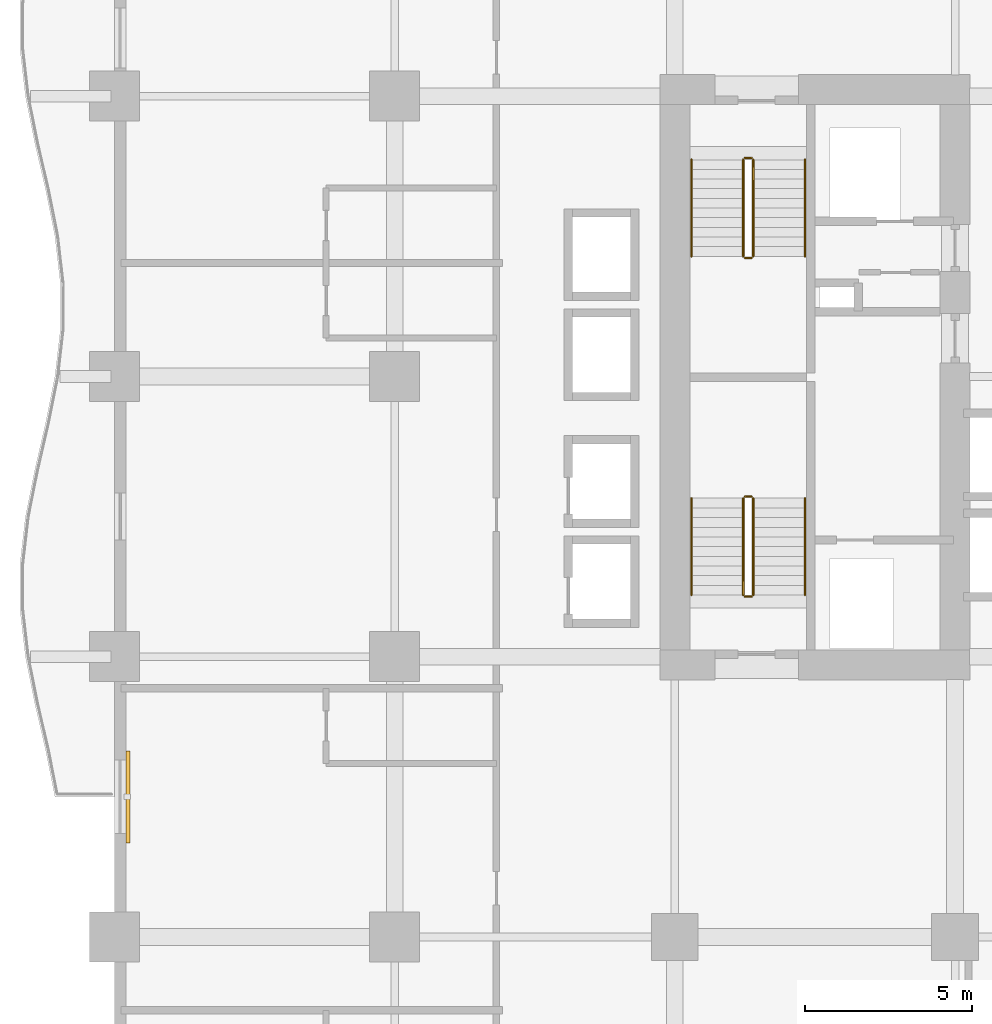
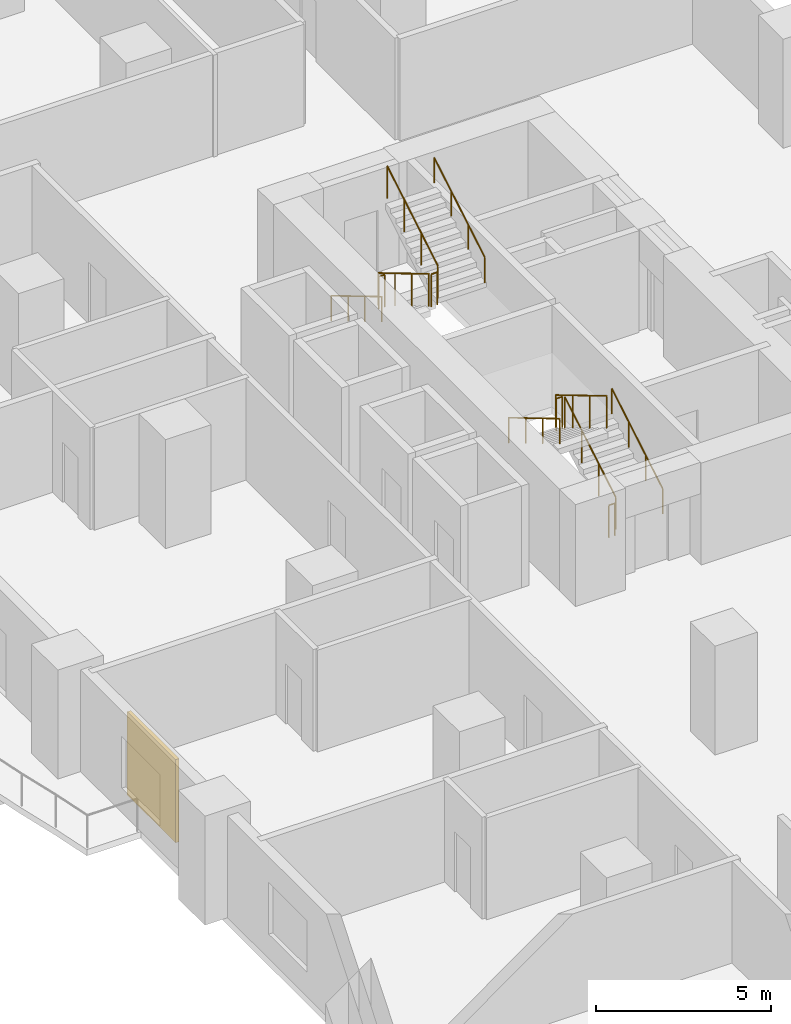
# One storey, part 19 of 20: 12 railings, 1 shading device.
"""IFC4 building model written with IfcOpenShell, lengths in metres."""

from ifc_helpers import new_model, si_unit, direction, frame, origin, origin_2d, place, context, subcontext, project, spatial, rectangle, circle, extrude, material, layer, layer_set, type_object, element, save


model = new_model("IFC4")

# Units and contexts
model_context = context("Model", 3, precision=1e-05, world=origin(), true_north=direction((0.0, 1.0)))
body_context = subcontext(model_context, "Body", "Model", "MODEL_VIEW")
ifc_project = project(units=[si_unit("LENGTHUNIT", "METRE"), si_unit("AREAUNIT", "SQUARE_METRE"), si_unit("VOLUMEUNIT", "CUBIC_METRE"), si_unit("PLANEANGLEUNIT", "RADIAN"), si_unit("MASSUNIT", "GRAM", prefix="KILO")], contexts=[model_context])

# Site, building, storey
site_placement = place(None, origin())
site = spatial("IfcSite", under=ifc_project, at=site_placement, CompositionType="ELEMENT")
building_placement = place(site_placement, origin())
building = spatial("IfcBuilding", under=site, at=building_placement, Name="Koriwani Terraces Tower", CompositionType="ELEMENT")
storey_placement = place(building_placement, frame((0.0, 0.0, 66.199951171875)))
storey = spatial("IfcBuildingStorey", under=building, at=storey_placement, Name="L15", CompositionType="ELEMENT", Elevation=66.199951171875)

# Railings
ifc_material_1 = material(Name="Steel ASTM A572 Grade 50", Category="steel")
railing_type_1 = type_object("IfcRailingType", Name="GUARD_STAIR_WELL_1120", PredefinedType="GUARDRAIL", material=ifc_material_1)
railing_1_placement = place(storey_placement, frame((19.14990234375, 43.85009765625, 0.1728515625)))
element("IfcRailing", 1, at=railing_1_placement, inside=storey, type_object=railing_type_1, Name="L15 ST-W1 stair guard 1", PredefinedType="GUARDRAIL", context=body_context, shape_type="SweptSolid", body=[
    extrude(circle(Radius=0.02392578125, at=origin_2d()), frame((0.0, 0.0, 1.1259765625), z_axis=(0.0, 0.859141464434, 0.511738159696), x_axis=(-1.0, 0.0, 0.0)), (0.0, 0.0, 1.0), 3.375244140625),
    extrude(circle(Radius=0.02099609375, at=origin_2d()), origin(), (0.0, 0.0, 1.0), 1.101806640625),
    extrude(circle(Radius=0.02099609375, at=origin_2d()), frame((0.0, 0.966552734375, 0.57568359375)), (0.0, 0.0, 1.0), 1.101806640625),
    extrude(circle(Radius=0.02099609375, at=origin_2d()), frame((0.0, 1.933349609375, 1.151611328125)), (0.0, 0.0, 1.0), 1.101806640625),
    extrude(circle(Radius=0.02099609375, at=origin_2d()), frame((0.0, 2.89990234375, 1.727294921875)), (0.0, 0.0, 1.0), 1.101806640625),
])
railing_2_placement = place(storey_placement, frame((19.10009765625, 46.800048828125, 1.900146484375)))
element("IfcRailing", 2, at=railing_2_placement, inside=storey, type_object=railing_type_1, Name="L15 ST-W1 stair guard 2", PredefinedType="GUARDRAIL", context=body_context, shape_type="SweptSolid", body=[
    extrude(circle(Radius=0.02392578125, at=origin_2d()), frame((0.0, 0.0, 1.1259765625), z_axis=(-1.0, 0.0, 0.0), x_axis=(0.0, -1.0, 0.0)), (0.0, 0.0, 1.0), 0.2001953125),
    extrude(circle(Radius=0.02099609375, at=origin_2d()), origin(), (0.0, 0.0, 1.0), 1.101806640625),
    extrude(circle(Radius=0.02099609375, at=origin_2d()), frame((-0.2001953125, 0.0, 0.0)), (0.0, 0.0, 1.0), 1.101806640625),
])
railing_3_placement = place(storey_placement, frame((18.85009765625, 46.75, 2.07275390625)))
element("IfcRailing", 3, at=railing_3_placement, inside=storey, type_object=railing_type_1, Name="L15 ST-W1 stair guard 3", PredefinedType="GUARDRAIL", context=body_context, shape_type="SweptSolid", body=[
    extrude(circle(Radius=0.02392578125, at=origin_2d()), frame((0.0, 0.0, 1.1259765625), z_axis=(0.0, -0.859141464434, 0.511738159696), x_axis=(1.0, 0.0, 0.0)), (0.0, 0.0, 1.0), 3.375244140625),
    extrude(circle(Radius=0.02099609375, at=origin_2d()), origin(), (0.0, 0.0, 1.0), 1.101806640625),
    extrude(circle(Radius=0.02099609375, at=origin_2d()), frame((0.0, -0.966552734375, 0.57568359375)), (0.0, 0.0, 1.0), 1.101806640625),
    extrude(circle(Radius=0.02099609375, at=origin_2d()), frame((0.0, -1.933349609375, 1.151611328125)), (0.0, 0.0, 1.0), 1.101806640625),
    extrude(circle(Radius=0.02099609375, at=origin_2d()), frame((0.0, -2.89990234375, 1.727294921875)), (0.0, 0.0, 1.0), 1.101806640625),
])
railing_4_placement = place(storey_placement, frame((19.10009765625, 43.800048828125, 0.0)))
element("IfcRailing", 4, at=railing_4_placement, inside=storey, type_object=railing_type_1, Name="L15 ST-W1 stair guard 4", PredefinedType="GUARDRAIL", context=body_context, shape_type="SweptSolid", body=[
    extrude(circle(Radius=0.02392578125, at=origin_2d()), frame((0.0, 0.0, 1.1259765625), z_axis=(-1.0, 0.0, 0.0), x_axis=(0.0, -1.0, 0.0)), (0.0, 0.0, 1.0), 0.2001953125),
    extrude(circle(Radius=0.02099609375, at=origin_2d()), origin(), (0.0, 0.0, 1.0), 1.101806640625),
    extrude(circle(Radius=0.02099609375, at=origin_2d()), frame((-0.2001953125, 0.0, 0.0)), (0.0, 0.0, 1.0), 1.101806640625),
])
railing_5_placement = place(storey_placement, frame((18.85009765625, 56.89990234375, 0.1728515625)))
element("IfcRailing", 5, at=railing_5_placement, inside=storey, type_object=railing_type_1, Name="L15 ST-W2 stair guard 1", PredefinedType="GUARDRAIL", context=body_context, shape_type="SweptSolid", body=[
    extrude(circle(Radius=0.02392578125, at=origin_2d()), frame((0.0, 0.0, 1.1259765625), z_axis=(0.0, -0.859141464434, 0.511738159696), x_axis=(1.0, 0.0, 0.0)), (0.0, 0.0, 1.0), 3.375244140625),
    extrude(circle(Radius=0.02099609375, at=origin_2d()), origin(), (0.0, 0.0, 1.0), 1.101806640625),
    extrude(circle(Radius=0.02099609375, at=origin_2d()), frame((0.0, -0.966552734375, 0.57568359375)), (0.0, 0.0, 1.0), 1.101806640625),
    extrude(circle(Radius=0.02099609375, at=origin_2d()), frame((0.0, -1.933349609375, 1.151611328125)), (0.0, 0.0, 1.0), 1.101806640625),
    extrude(circle(Radius=0.02099609375, at=origin_2d()), frame((0.0, -2.89990234375, 1.727294921875)), (0.0, 0.0, 1.0), 1.101806640625),
])
railing_6_placement = place(storey_placement, frame((18.89990234375, 53.949951171875, 1.900146484375)))
element("IfcRailing", 6, at=railing_6_placement, inside=storey, type_object=railing_type_1, Name="L15 ST-W2 stair guard 2", PredefinedType="GUARDRAIL", context=body_context, shape_type="SweptSolid", body=[
    extrude(circle(Radius=0.02392578125, at=origin_2d()), frame((0.0, 0.0, 1.1259765625), z_axis=(1.0, 0.0, 0.0), x_axis=(0.0, 1.0, 0.0)), (0.0, 0.0, 1.0), 0.2001953125),
    extrude(circle(Radius=0.02099609375, at=origin_2d()), origin(), (0.0, 0.0, 1.0), 1.101806640625),
    extrude(circle(Radius=0.02099609375, at=origin_2d()), frame((0.2001953125, 0.0, 0.0)), (0.0, 0.0, 1.0), 1.101806640625),
])
railing_7_placement = place(storey_placement, frame((19.14990234375, 54.0, 2.07275390625)))
element("IfcRailing", 7, at=railing_7_placement, inside=storey, type_object=railing_type_1, Name="L15 ST-W2 stair guard 3", PredefinedType="GUARDRAIL", context=body_context, shape_type="SweptSolid", body=[
    extrude(circle(Radius=0.02392578125, at=origin_2d()), frame((0.0, 0.0, 1.1259765625), z_axis=(0.0, 0.859141464434, 0.511738159696), x_axis=(-1.0, 0.0, 0.0)), (0.0, 0.0, 1.0), 3.375244140625),
    extrude(circle(Radius=0.02099609375, at=origin_2d()), origin(), (0.0, 0.0, 1.0), 1.101806640625),
    extrude(circle(Radius=0.02099609375, at=origin_2d()), frame((0.0, 0.966552734375, 0.57568359375)), (0.0, 0.0, 1.0), 1.101806640625),
    extrude(circle(Radius=0.02099609375, at=origin_2d()), frame((0.0, 1.933349609375, 1.151611328125)), (0.0, 0.0, 1.0), 1.101806640625),
    extrude(circle(Radius=0.02099609375, at=origin_2d()), frame((0.0, 2.89990234375, 1.727294921875)), (0.0, 0.0, 1.0), 1.101806640625),
])
railing_8_placement = place(storey_placement, frame((18.89990234375, 56.949951171875, 0.0)))
element("IfcRailing", 8, at=railing_8_placement, inside=storey, type_object=railing_type_1, Name="L15 ST-W2 stair guard 4", PredefinedType="GUARDRAIL", context=body_context, shape_type="SweptSolid", body=[
    extrude(circle(Radius=0.02392578125, at=origin_2d()), frame((0.0, 0.0, 1.1259765625), z_axis=(1.0, 0.0, 0.0), x_axis=(0.0, 1.0, 0.0)), (0.0, 0.0, 1.0), 0.2001953125),
    extrude(circle(Radius=0.02099609375, at=origin_2d()), origin(), (0.0, 0.0, 1.0), 1.101806640625),
    extrude(circle(Radius=0.02099609375, at=origin_2d()), frame((0.2001953125, 0.0, 0.0)), (0.0, 0.0, 1.0), 1.101806640625),
])
railing_type_2 = type_object("IfcRailingType", Name="HANDRAIL_STAIR_920", PredefinedType="HANDRAIL", material=ifc_material_1)
railing_9_placement = place(storey_placement, frame((20.699951171875, 43.85009765625, 0.1728515625)))
element("IfcRailing", 9, at=railing_9_placement, inside=storey, type_object=railing_type_2, Name="L15 ST-W1 stair handrail 1", PredefinedType="HANDRAIL", context=body_context, shape_type="SweptSolid", body=[
    extrude(circle(Radius=0.02392578125, at=origin_2d()), frame((0.0, 0.0, 0.8759765625), z_axis=(0.0, 0.859141464434, 0.511738159696), x_axis=(-1.0, 0.0, 0.0)), (0.0, 0.0, 1.0), 3.375244140625),
    extrude(circle(Radius=0.02099609375, at=origin_2d()), origin(), (0.0, 0.0, 1.0), 0.851806640625),
    extrude(circle(Radius=0.02099609375, at=origin_2d()), frame((0.0, 0.966552734375, 0.57568359375)), (0.0, 0.0, 1.0), 0.851806640625),
    extrude(circle(Radius=0.02099609375, at=origin_2d()), frame((0.0, 1.933349609375, 1.151611328125)), (0.0, 0.0, 1.0), 0.851806640625),
    extrude(circle(Radius=0.02099609375, at=origin_2d()), frame((0.0, 2.89990234375, 1.727294921875)), (0.0, 0.0, 1.0), 0.851806640625),
])
for number, where, name in (
    (10, (17.300048828125, 46.75, 2.07275390625), "L15 ST-W1 stair handrail 2"),
    (11, (17.300048828125, 56.89990234375, 0.1728515625), "L15 ST-W2 stair handrail 1"),
):
    element("IfcRailing", number, at=place(storey_placement, frame(where)), inside=storey, type_object=railing_type_2, Name=name, PredefinedType="HANDRAIL", context=body_context, shape_type="SweptSolid", body=[
        extrude(circle(Radius=0.02392578125, at=origin_2d()), frame((0.0, 0.0, 0.8759765625), z_axis=(0.0, -0.859141464434, 0.511738159696), x_axis=(1.0, 0.0, 0.0)), (0.0, 0.0, 1.0), 3.375244140625),
        extrude(circle(Radius=0.02099609375, at=origin_2d()), origin(), (0.0, 0.0, 1.0), 0.851806640625),
        extrude(circle(Radius=0.02099609375, at=origin_2d()), frame((0.0, -0.966552734375, 0.57568359375)), (0.0, 0.0, 1.0), 0.851806640625),
        extrude(circle(Radius=0.02099609375, at=origin_2d()), frame((0.0, -1.933349609375, 1.151611328125)), (0.0, 0.0, 1.0), 0.851806640625),
        extrude(circle(Radius=0.02099609375, at=origin_2d()), frame((0.0, -2.89990234375, 1.727294921875)), (0.0, 0.0, 1.0), 0.851806640625),
    ])
railing_10_placement = place(storey_placement, frame((20.699951171875, 54.0, 2.07275390625)))
element("IfcRailing", 12, at=railing_10_placement, inside=storey, type_object=railing_type_2, Name="L15 ST-W2 stair handrail 2", PredefinedType="HANDRAIL", context=body_context, shape_type="SweptSolid", body=[
    extrude(circle(Radius=0.02392578125, at=origin_2d()), frame((0.0, 0.0, 0.8759765625), z_axis=(0.0, 0.859141464434, 0.511738159696), x_axis=(-1.0, 0.0, 0.0)), (0.0, 0.0, 1.0), 3.375244140625),
    extrude(circle(Radius=0.02099609375, at=origin_2d()), origin(), (0.0, 0.0, 1.0), 0.851806640625),
    extrude(circle(Radius=0.02099609375, at=origin_2d()), frame((0.0, 0.966552734375, 0.57568359375)), (0.0, 0.0, 1.0), 0.851806640625),
    extrude(circle(Radius=0.02099609375, at=origin_2d()), frame((0.0, 1.933349609375, 1.151611328125)), (0.0, 0.0, 1.0), 0.851806640625),
    extrude(circle(Radius=0.02099609375, at=origin_2d()), frame((0.0, 2.89990234375, 1.727294921875)), (0.0, 0.0, 1.0), 0.851806640625),
])

# Shading device
ifc_material_2 = material(Name="Extruded Terracotta Clay", Category="masonry")
ifc_layer = layer(ifc_material_2, 0.1201171875, Name="Extruded Terracotta Clay")
ifc_layer_set = layer_set([ifc_layer], Name="Extruded Terracotta Clay")
shading_device_type = type_object("IfcShadingDeviceType", Name="TERRACOTTA_BAGUETTE_SCREEN_2800", PredefinedType="USERDEFINED", material=ifc_layer_set)
shading_device_placement = place(storey_placement, frame((0.405029296875, 37.800048828125, 0.3251953125), z_axis=(0.0, 0.0, 1.0), x_axis=(0.0, 1.0, 0.0)))
element("IfcShadingDevice", 13, at=shading_device_placement, inside=storey, type_object=shading_device_type, Name="L15 Extruded Terracotta Baguette Screen (W-12)", ObjectType="BAGUETTE", PredefinedType="USERDEFINED", context=body_context, shape_type="SweptSolid", body=[
    extrude(rectangle(XDim=2.760009765625, YDim=0.1201171875, at=origin_2d()), origin(), (0.0, 0.0, 1.0), 2.89990234375),
])

save(model, "model.ifc")
